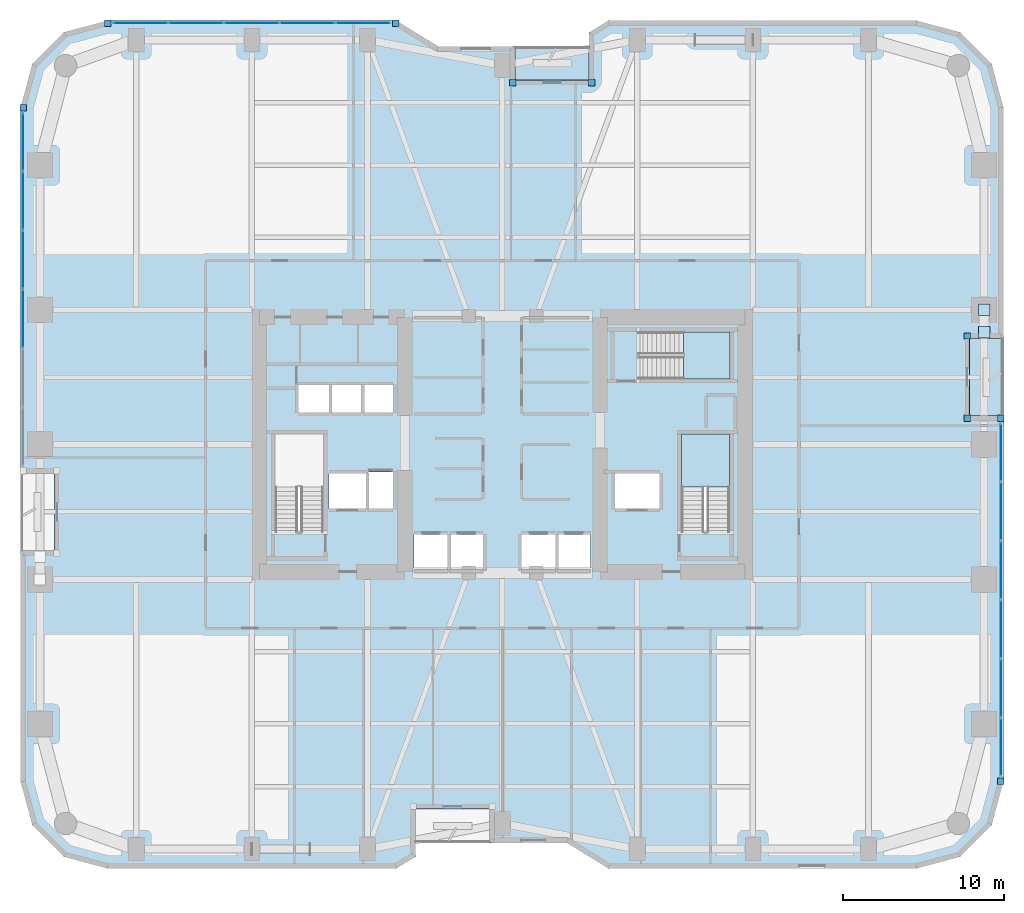
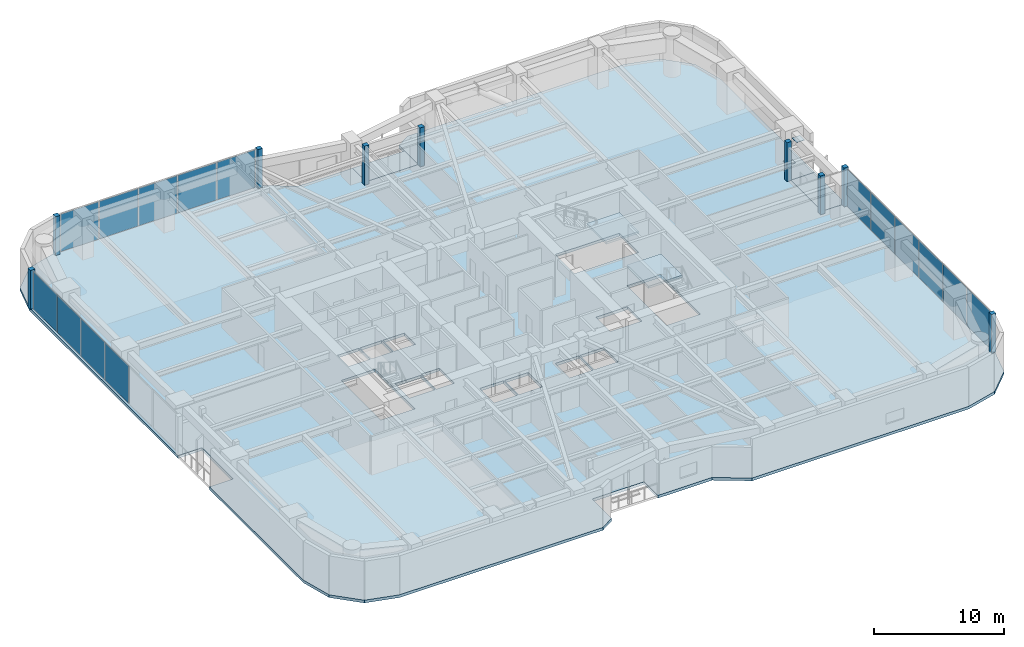
# One storey, part 20 of 28: 26 plates, 5 slabs, 5 elements without a shape of their own.
"""IFC4 building model written with IfcOpenShell, lengths in metres."""

import ifcopenshell
import ifcopenshell.guid

model = None  # the IFC model being written
_history = None  # IfcOwnerHistory: only IFC2X3 demands one
_inside = {}  # id of a spatial element -> (the spatial element, [elements in it])
_under = {}  # id of a project, library or spatial element -> (it, [spatial elements below it])
_declared = {}  # id of a project -> (the project, [libraries it declares])
_typed = {}  # id of a type object -> (the type object, [elements of that type])
_made_of = {}  # id of a material, layer set ... -> (it, [elements and type objects made of it])


def new_model(schema):
    """Start an empty IFC model of exactly this schema.

    Asked for "IFC4X3", IfcOpenShell would pick the latest addendum, in which some entities
    have other attributes; the version numbers below select the first issue.
    IFC2X3 requires an IfcOwnerHistory on every rooted entity: one is made here for all.
    """
    global model, _history
    if schema == "IFC4X3":
        model = ifcopenshell.file(schema_version=(4, 3, 0, 0))
    else:
        model = ifcopenshell.file(schema=schema)
    _inside.clear()
    _under.clear()
    _declared.clear()
    _typed.clear()
    _made_of.clear()
    _history = None
    if model.schema == "IFC2X3":
        org = make("IfcOrganization", Name="unknown")
        user = make(
            "IfcPersonAndOrganization",
            ThePerson=make("IfcPerson", FamilyName="unknown"),
            TheOrganization=org,
        )
        app = make(
            "IfcApplication",
            ApplicationDeveloper=org,
            Version="unknown",
            ApplicationFullName="unknown",
            ApplicationIdentifier="unknown",
        )
        _history = make(
            "IfcOwnerHistory",
            OwningUser=user,
            OwningApplication=app,
            ChangeAction="ADDED",
            CreationDate=0,
        )
    return model


def make(cls, **values):
    """One entity of the class cls with the attributes given. An attribute that is None is left unset."""
    return model.create_entity(
        cls, **{name: value for name, value in values.items() if value is not None}
    )


def rooted(cls, **values):
    """An entity with a GlobalId (a new one), such as an element, a storey or a relation."""
    return make(cls, GlobalId=ifcopenshell.guid.new(), OwnerHistory=_history, **values)


def si_unit(unit_type, name, prefix=None):
    """IfcSIUnit, for example si_unit("LENGTHUNIT", "METRE", prefix="MILLI")."""
    return make("IfcSIUnit", UnitType=unit_type, Prefix=prefix, Name=name)


def assignment(units):
    """IfcUnitAssignment: the units of a project."""
    return None if units is None else make("IfcUnitAssignment", Units=units)


def point(xyz):
    """IfcCartesianPoint."""
    return None if xyz is None else make("IfcCartesianPoint", Coordinates=xyz)


def direction(xyz):
    """IfcDirection."""
    return None if xyz is None else make("IfcDirection", DirectionRatios=xyz)


def frame(location, z_axis=None, x_axis=None):
    """IfcAxis2Placement3D, a coordinate frame: its origin and axes. An axis left out is left unset."""
    return make(
        "IfcAxis2Placement3D",
        Location=point(location),
        Axis=direction(z_axis),
        RefDirection=direction(x_axis),
    )


def frame_2d(location, x_axis=None):
    """IfcAxis2Placement2D, a coordinate frame in the plane: its origin and x axis."""
    return make(
        "IfcAxis2Placement2D", Location=point(location), RefDirection=direction(x_axis)
    )


def origin():
    """The frame at (0, 0, 0) with its axes left unset."""
    return frame((0.0, 0.0, 0.0))


def origin_2d():
    """The frame at (0, 0) in the plane with its x axis left unset."""
    return frame_2d((0.0, 0.0))


def place(relative_to, where):
    """IfcLocalPlacement: puts the frame where relative to a parent placement (None: the world)."""
    return make(
        "IfcLocalPlacement", PlacementRelTo=relative_to, RelativePlacement=where
    )


def context(
    kind, dimensions, precision=None, world=None, true_north=None, identifier=None
):
    """IfcGeometricRepresentationContext, for example the 3D "Model" context."""
    return make(
        "IfcGeometricRepresentationContext",
        ContextIdentifier=identifier,
        ContextType=kind,
        CoordinateSpaceDimension=dimensions,
        Precision=precision,
        WorldCoordinateSystem=world,
        TrueNorth=true_north,
    )


def subcontext(parent, identifier, kind, view, scale=None):
    """IfcGeometricRepresentationSubContext, for example "Body" below "Model"."""
    return make(
        "IfcGeometricRepresentationSubContext",
        ContextIdentifier=identifier,
        ContextType=kind,
        ParentContext=parent,
        TargetScale=scale,
        TargetView=view,
    )


def project(units=None, contexts=None):
    """IfcProject with its units and contexts."""
    return rooted(
        "IfcProject",
        Name="project",
        RepresentationContexts=contexts,
        UnitsInContext=assignment(units),
    )


def spatial(cls, under=None, at=None, **own):
    """A site, building, storey or space (cls), placed at a placement, below another one or the project."""
    s = rooted(cls, ObjectPlacement=at, **own)
    if under is not None:
        _under.setdefault(under.id(), (under, []))[1].append(s)
    return s


def polyline(points):
    """IfcPolyline through the points."""
    return make("IfcPolyline", Points=[point(p) for p in points])


def profile(cls, at=None, kind="AREA", **sizes):
    """A parametric profile (cls). Its sizes go by their IFC names, for example OverallWidth=200.0."""
    return make(cls, ProfileType=kind, Position=at, **sizes)


def rectangle(**sizes):
    """IfcRectangleProfileDef."""
    return profile("IfcRectangleProfileDef", **sizes)


def outline(outer, holes=None, kind="AREA"):
    """IfcArbitraryClosedProfileDef: a profile drawn as a closed curve; with holes, ...WithVoids."""
    if holes is None:
        return make("IfcArbitraryClosedProfileDef", ProfileType=kind, OuterCurve=outer)
    return make(
        "IfcArbitraryProfileDefWithVoids",
        ProfileType=kind,
        OuterCurve=outer,
        InnerCurves=holes,
    )


def extrude(swept, where, along, depth):
    """IfcExtrudedAreaSolid: the profile swept, set in the frame where, extruded along a direction by depth."""
    return make(
        "IfcExtrudedAreaSolid",
        SweptArea=swept,
        Position=where,
        ExtrudedDirection=direction(along),
        Depth=depth,
    )


def shape(context_of_items, identifier, shape_type, items):
    """IfcShapeRepresentation: the items that make up one representation, for example the "Body"."""
    return make(
        "IfcShapeRepresentation",
        ContextOfItems=context_of_items,
        RepresentationIdentifier=identifier,
        RepresentationType=shape_type,
        Items=items,
    )


def material(Name=None, Category=None):
    """IfcMaterial."""
    return make("IfcMaterial", Name=Name, Category=Category)


def layer(
    of_material, thickness, ventilated=None, Name=None, Category=None, Priority=None
):
    """IfcMaterialLayer: one layer of a wall or slab, of a material (None: an air gap)."""
    return make(
        "IfcMaterialLayer",
        Material=of_material,
        LayerThickness=thickness,
        IsVentilated=ventilated,
        Name=Name,
        Category=Category,
        Priority=Priority,
    )


def layer_set(layers, Name=None):
    """IfcMaterialLayerSet."""
    return make("IfcMaterialLayerSet", MaterialLayers=layers, LayerSetName=Name)


def made_of(thing, what):
    """Note that an element or type object is made of a material, layer set ...; save() writes the relation."""
    if what is not None:
        _made_of.setdefault(what.id(), (what, []))[1].append(thing)
    return thing


def type_object(cls, material=None, **own):
    """A type object (cls), such as IfcWallType, which elements share."""
    return made_of(rooted(cls, **own), material)


def element(
    cls,
    number,
    at=None,
    inside=None,
    cuts=None,
    type_object=None,
    material=None,
    context=None,
    identifier="Body",
    shape_type=None,
    held_by="IfcProductDefinitionShape",
    body=None,
    shapes=None,
    **own,
):
    """One element of the class cls, such as IfcWall. Its Tag is "e" and its number.

    at: its placement. inside: the storey or other place that contains it. cuts: it is an
    opening in that element (IfcRelVoidsElement). A single representation is given by context,
    identifier, shape_type and body (its items); several are given by shapes. held_by: the class
    of the entity that holds the representations. save() writes the other relations.
    """
    e = rooted(cls, Tag="e%d" % number, ObjectPlacement=at, **own)
    if body is not None:
        shapes = [shape(context, identifier, shape_type, body)]
    if shapes is not None:
        e.Representation = make(held_by, Representations=shapes)
    if inside is not None:
        _inside.setdefault(inside.id(), (inside, []))[1].append(e)
    if cuts is not None:
        rooted(
            "IfcRelVoidsElement", RelatingBuildingElement=cuts, RelatedOpeningElement=e
        )
    if type_object is not None:
        _typed.setdefault(type_object.id(), (type_object, []))[1].append(e)
    return made_of(e, material)


def aggregate(whole, parts):
    """IfcRelAggregates: a whole, such as a stair, and the parts it consists of."""
    return rooted("IfcRelAggregates", RelatingObject=whole, RelatedObjects=parts)


def save(model, path):
    """Write the relations noted so far, then the file.

    IfcRelAggregates (storeys below a building ...), IfcRelContainedInSpatialStructure (elements
    in a storey), IfcRelDefinesByType, IfcRelAssociatesMaterial and IfcRelDeclares: one each for
    every whole, place, type object, material and project.
    """
    for whole, parts in _under.values():
        aggregate(whole, parts)
    for where, things in _inside.values():
        rooted(
            "IfcRelContainedInSpatialStructure",
            RelatedElements=things,
            RelatingStructure=where,
        )
    for kind, things in _typed.values():
        rooted("IfcRelDefinesByType", RelatedObjects=things, RelatingType=kind)
    for what, things in _made_of.values():
        rooted("IfcRelAssociatesMaterial", RelatedObjects=things, RelatingMaterial=what)
    for by, libraries in _declared.values():
        rooted("IfcRelDeclares", RelatingContext=by, RelatedDefinitions=libraries)
    model.write(path)


model = new_model("IFC4")

# Units and contexts
model_context = context("Model", 3, precision=1e-05, world=origin(), true_north=direction((0.0, 1.0)))
body_context = subcontext(model_context, "Body", "Model", "MODEL_VIEW")
ifc_project = project(units=[si_unit("LENGTHUNIT", "METRE"), si_unit("AREAUNIT", "SQUARE_METRE"), si_unit("VOLUMEUNIT", "CUBIC_METRE"), si_unit("PLANEANGLEUNIT", "RADIAN"), si_unit("MASSUNIT", "GRAM", prefix="KILO")], contexts=[model_context])

# Site, building, storey
site_placement = place(None, origin())
site = spatial("IfcSite", under=ifc_project, at=site_placement, CompositionType="ELEMENT")
building_placement = place(site_placement, origin())
building = spatial("IfcBuilding", under=site, at=building_placement, Name="Kiyonajd Concourse Tower", CompositionType="ELEMENT")
storey_placement = place(building_placement, frame((0.0, 0.0, 56.699951171875)))
storey = spatial("IfcBuildingStorey", under=building, at=storey_placement, Name="L15", CompositionType="ELEMENT", Elevation=56.699951171875)

# Plates
ifc_material_1 = material(Name="Steel ASTM A572 Grade 50", Category="steel")
ifc_layer_1 = layer(ifc_material_1, 0.028076171875)
ifc_layer_set_1 = layer_set([ifc_layer_1], Name="Steel ASTM A572 Grade 50")
plate_type_1 = type_object("IfcPlateType", Name="PL-CAP-450", PredefinedType="USERDEFINED", material=ifc_layer_set_1)
for number, where, z_axis, x_axis, name in (
    (1, (78.0, 44.40478515625, 0.27587890625), (0.0, 0.0, 1.0), (1.0, 0.0, 0.0), "L15 Hollow Brace End Cap Plate PBE"),
    (2, (78.0, 42.995361328125, 3.2861328125), (0.0, 0.0, 1.0), (1.0, 0.0, 0.0), "L15 Hollow Brace Top Cap Plate PBE"),
):
    element("IfcPlate", number, at=place(storey_placement, frame(where, z_axis=z_axis, x_axis=x_axis)), inside=storey, type_object=plate_type_1, Name=name, ObjectType="CAP PLATE", PredefinedType="USERDEFINED", context=body_context, shape_type="SweptSolid", body=[
        extrude(rectangle(XDim=0.7099609375, YDim=0.7099609375, at=origin_2d()), origin(), (0.0, 0.0, 1.0), 0.028076171875),
    ])

# Curtain wall, plates
ifc_material_2 = material(Name="Thermally Broken Anodised Aluminium", Category="aluminium")
ifc_layer_2 = layer(ifc_material_2, 0.179931640625)
ifc_layer_set_2 = layer_set([ifc_layer_2], Name="Thermally Broken Anodised Aluminium")
curtain_wall_type = type_object("IfcCurtainWallType", Name="CW-SYS-02", PredefinedType="NOTDEFINED", material=ifc_layer_set_2)
curtain_wall_1_placement = place(storey_placement, origin())
curtain_wall_1 = element("IfcCurtainWall", 3, at=curtain_wall_1_placement, inside=storey, type_object=curtain_wall_type, Name="L15 Unitised Curtain Wall CW2", PredefinedType="NOTDEFINED")
ifc_material_3 = material(Name="Double Low-E Insulated Glass", Category="glass")
ifc_layer_3 = layer(ifc_material_3, 0.028076171875)
ifc_layer_set_3 = layer_set([ifc_layer_3], Name="Double Low-E Insulated Glass")
plate_type_2 = type_object("IfcPlateType", Name="PL-CW-VIS28", PredefinedType="CURTAIN_PANEL", material=ifc_layer_set_3)
plate_1_placement = place(storey_placement, frame((18.159912109375, 43.832763671875, 0.06494140625), z_axis=(0.0, 0.0, 1.0), x_axis=(0.0, 1.0, 0.0)))
plate_1 = element("IfcPlate", 4, at=plate_1_placement, type_object=plate_type_2, Name="CW2 panel 3.1", PredefinedType="CURTAIN_PANEL", context=body_context, shape_type="SweptSolid", body=[
    extrude(rectangle(XDim=3.608154296875, YDim=0.028076171875, at=origin_2d()), origin(), (0.0, 0.0, 1.0), 3.510009765625),
])
plate_2_placement = place(storey_placement, frame((18.159912109375, 47.506103515625, 0.06494140625), z_axis=(0.0, 0.0, 1.0), x_axis=(0.0, 1.0, 0.0)))
plate_2 = element("IfcPlate", 5, at=plate_2_placement, type_object=plate_type_2, Name="CW2 panel 4.1", PredefinedType="CURTAIN_PANEL", context=body_context, shape_type="SweptSolid", body=[
    extrude(rectangle(XDim=3.608154296875, YDim=0.028076171875, at=origin_2d()), origin(), (0.0, 0.0, 1.0), 3.510009765625),
])
plate_3_placement = place(storey_placement, frame((18.159912109375, 51.17919921875, 0.06494140625), z_axis=(0.0, 0.0, 1.0), x_axis=(0.0, 1.0, 0.0)))
plate_3 = element("IfcPlate", 6, at=plate_3_placement, type_object=plate_type_2, Name="CW2 panel 5.1", PredefinedType="CURTAIN_PANEL", context=body_context, shape_type="SweptSolid", body=[
    extrude(rectangle(XDim=3.608154296875, YDim=0.028076171875, at=origin_2d()), origin(), (0.0, 0.0, 1.0), 3.510009765625),
])
plate_4_placement = place(storey_placement, frame((18.159912109375, 54.836181640625, 0.06494140625), z_axis=(0.0, 0.0, 1.0), x_axis=(0.0, 1.0, 0.0)))
plate_4 = element("IfcPlate", 7, at=plate_4_placement, type_object=plate_type_2, Name="CW2 panel 6.1", PredefinedType="CURTAIN_PANEL", context=body_context, shape_type="SweptSolid", body=[
    extrude(rectangle(XDim=3.57568359375, YDim=0.028076171875, at=origin_2d()), origin(), (0.0, 0.0, 1.0), 3.510009765625),
])
aggregate(curtain_wall_1, [plate_1, plate_2, plate_3, plate_4])

curtain_wall_2_placement = place(storey_placement, origin())
curtain_wall_2 = element("IfcCurtainWall", 8, at=curtain_wall_2_placement, inside=storey, type_object=curtain_wall_type, Name="L15 Unitised Curtain Wall CW2", PredefinedType="NOTDEFINED")
plate_5_placement = place(storey_placement, frame((25.462646484375, 62.239990234375, 0.06494140625), z_axis=(0.0, 0.0, 1.0), x_axis=(1.0, 0.0, 0.0)))
plate_5 = element("IfcPlate", 9, at=plate_5_placement, type_object=plate_type_2, Name="CW2 panel 1.1", PredefinedType="CURTAIN_PANEL", context=body_context, shape_type="SweptSolid", body=[
    extrude(rectangle(XDim=3.373291015625, YDim=0.028076171875, at=origin_2d()), origin(), (0.0, 0.0, 1.0), 3.510009765625),
])
plate_6_placement = place(storey_placement, frame((28.917236328125, 62.239990234375, 0.06494140625), z_axis=(0.0, 0.0, 1.0), x_axis=(1.0, 0.0, 0.0)))
plate_6 = element("IfcPlate", 10, at=plate_6_placement, type_object=plate_type_2, Name="CW2 panel 2.1", PredefinedType="CURTAIN_PANEL", context=body_context, shape_type="SweptSolid", body=[
    extrude(rectangle(XDim=3.40576171875, YDim=0.028076171875, at=origin_2d()), origin(), (0.0, 0.0, 1.0), 3.510009765625),
])
plate_7_placement = place(storey_placement, frame((32.387939453125, 62.239990234375, 0.06494140625), z_axis=(0.0, 0.0, 1.0), x_axis=(1.0, 0.0, 0.0)))
plate_7 = element("IfcPlate", 11, at=plate_7_placement, type_object=plate_type_2, Name="CW2 panel 3.1", PredefinedType="CURTAIN_PANEL", context=body_context, shape_type="SweptSolid", body=[
    extrude(rectangle(XDim=3.40576171875, YDim=0.028076171875, at=origin_2d()), origin(), (0.0, 0.0, 1.0), 3.510009765625),
])
plate_8_placement = place(storey_placement, frame((35.858642578125, 62.239990234375, 0.06494140625), z_axis=(0.0, 0.0, 1.0), x_axis=(1.0, 0.0, 0.0)))
plate_8 = element("IfcPlate", 12, at=plate_8_placement, type_object=plate_type_2, Name="CW2 panel 4.1", PredefinedType="CURTAIN_PANEL", context=body_context, shape_type="SweptSolid", body=[
    extrude(rectangle(XDim=3.40576171875, YDim=0.028076171875, at=origin_2d()), origin(), (0.0, 0.0, 1.0), 3.510009765625),
])
plate_9_placement = place(storey_placement, frame((39.31298828125, 62.239990234375, 0.06494140625), z_axis=(0.0, 0.0, 1.0), x_axis=(1.0, 0.0, 0.0)))
plate_9 = element("IfcPlate", 13, at=plate_9_placement, type_object=plate_type_2, Name="CW2 panel 5.1", PredefinedType="CURTAIN_PANEL", context=body_context, shape_type="SweptSolid", body=[
    extrude(rectangle(XDim=3.373291015625, YDim=0.028076171875, at=origin_2d()), origin(), (0.0, 0.0, 1.0), 3.510009765625),
])
aggregate(curtain_wall_2, [plate_5, plate_6, plate_7, plate_8, plate_9])

curtain_wall_3_placement = place(storey_placement, origin())
curtain_wall_3 = element("IfcCurtainWall", 14, at=curtain_wall_3_placement, inside=storey, type_object=curtain_wall_type, Name="L15 Unitised Curtain Wall CW2", PredefinedType="NOTDEFINED")
plate_10_placement = place(storey_placement, frame((79.0400390625, 35.4970703125, 0.06494140625), z_axis=(0.0, 0.0, 1.0), x_axis=(0.0, -1.0, 0.0)))
plate_10 = element("IfcPlate", 15, at=plate_10_placement, type_object=plate_type_2, Name="CW2 panel 1.1", PredefinedType="CURTAIN_PANEL", context=body_context, shape_type="SweptSolid", body=[
    extrude(rectangle(XDim=3.57568359375, YDim=0.028076171875, at=origin_2d()), origin(), (0.0, 0.0, 1.0), 3.510009765625),
])
plate_11_placement = place(storey_placement, frame((79.0400390625, 31.84033203125, 0.06494140625), z_axis=(0.0, 0.0, 1.0), x_axis=(0.0, -1.0, 0.0)))
plate_11 = element("IfcPlate", 16, at=plate_11_placement, type_object=plate_type_2, Name="CW2 panel 2.1", PredefinedType="CURTAIN_PANEL", context=body_context, shape_type="SweptSolid", body=[
    extrude(rectangle(XDim=3.608154296875, YDim=0.028076171875, at=origin_2d()), origin(), (0.0, 0.0, 1.0), 3.510009765625),
])
plate_12_placement = place(storey_placement, frame((79.0400390625, 28.167236328125, 0.06494140625), z_axis=(0.0, 0.0, 1.0), x_axis=(0.0, -1.0, 0.0)))
plate_12 = element("IfcPlate", 17, at=plate_12_placement, type_object=plate_type_2, Name="CW2 panel 3.1", PredefinedType="CURTAIN_PANEL", context=body_context, shape_type="SweptSolid", body=[
    extrude(rectangle(XDim=3.608154296875, YDim=0.028076171875, at=origin_2d()), origin(), (0.0, 0.0, 1.0), 3.510009765625),
])
plate_13_placement = place(storey_placement, frame((79.0400390625, 24.493896484375, 0.06494140625), z_axis=(0.0, 0.0, 1.0), x_axis=(0.0, -1.0, 0.0)))
plate_13 = element("IfcPlate", 18, at=plate_13_placement, type_object=plate_type_2, Name="CW2 panel 4.1", PredefinedType="CURTAIN_PANEL", context=body_context, shape_type="SweptSolid", body=[
    extrude(rectangle(XDim=3.608154296875, YDim=0.028076171875, at=origin_2d()), origin(), (0.0, 0.0, 1.0), 3.510009765625),
])
plate_14_placement = place(storey_placement, frame((79.0400390625, 20.82080078125, 0.06494140625), z_axis=(0.0, 0.0, 1.0), x_axis=(0.0, -1.0, 0.0)))
plate_14 = element("IfcPlate", 19, at=plate_14_placement, type_object=plate_type_2, Name="CW2 panel 5.1", PredefinedType="CURTAIN_PANEL", context=body_context, shape_type="SweptSolid", body=[
    extrude(rectangle(XDim=3.608154296875, YDim=0.028076171875, at=origin_2d()), origin(), (0.0, 0.0, 1.0), 3.510009765625),
])
plate_15_placement = place(storey_placement, frame((79.0400390625, 17.163818359375, 0.06494140625), z_axis=(0.0, 0.0, 1.0), x_axis=(0.0, -1.0, 0.0)))
plate_15 = element("IfcPlate", 20, at=plate_15_placement, type_object=plate_type_2, Name="CW2 panel 6.1", PredefinedType="CURTAIN_PANEL", context=body_context, shape_type="SweptSolid", body=[
    extrude(rectangle(XDim=3.57568359375, YDim=0.028076171875, at=origin_2d()), origin(), (0.0, 0.0, 1.0), 3.510009765625),
])
aggregate(curtain_wall_3, [plate_10, plate_11, plate_12, plate_13, plate_14, plate_15])

# Plates
ifc_layer_4 = layer(ifc_material_2, 0.39990234375)
ifc_layer_set_4 = layer_set([ifc_layer_4], Name="Thermally Broken Anodised Aluminium")
plate_type_3 = type_object("IfcPlateType", Name="PL-JMB-400", PredefinedType="USERDEFINED", material=ifc_layer_set_4)
for number, where, z_axis, x_axis, name in (
    (21, (18.159912109375, 56.97900390625, 0.0), (0.0, 0.0, 1.0), (1.0, 0.0, 0.0), "L15 Facade Jamb Closure Plate 04"),
    (22, (23.421142578125, 62.239990234375, 0.0), (0.0, 0.0, 1.0), (1.0, 0.0, 0.0), "L15 Facade Jamb Closure Plate 05"),
    (23, (41.354736328125, 62.239990234375, 0.0), (0.0, 0.0, 1.0), (1.0, 0.0, 0.0), "L15 Facade Jamb Closure Plate 06"),
    (24, (48.639892578125, 58.5400390625, 0.0), (0.0, 0.0, 1.0), (1.0, 0.0, 0.0), "L15 Facade Jamb Closure Plate 07"),
    (25, (53.56005859375, 58.5400390625, 0.0), (0.0, 0.0, 1.0), (1.0, 0.0, 0.0), "L15 Facade Jamb Closure Plate 08"),
    (26, (76.93994140625, 42.760009765625, 0.0), (0.0, 0.0, 1.0), (1.0, 0.0, 0.0), "L15 Facade Jamb Closure Plate 09"),
    (27, (76.93994140625, 37.639892578125, 0.0), (0.0, 0.0, 1.0), (1.0, 0.0, 0.0), "L15 Facade Jamb Closure Plate 10"),
    (28, (79.0400390625, 37.639892578125, 0.0), (0.0, 0.0, 1.0), (1.0, 0.0, 0.0), "L15 Facade Jamb Closure Plate 11"),
    (29, (79.0400390625, 15.02099609375, 0.0), (0.0, 0.0, 1.0), (1.0, 0.0, 0.0), "L15 Facade Jamb Closure Plate 12"),
):
    element("IfcPlate", number, at=place(storey_placement, frame(where, z_axis=z_axis, x_axis=x_axis)), inside=storey, type_object=plate_type_3, Name=name, ObjectType="JAMB PLATE", PredefinedType="USERDEFINED", context=body_context, shape_type="SweptSolid", body=[
        extrude(rectangle(XDim=0.39990234375, YDim=0.39990234375, at=origin_2d()), origin(), (0.0, 0.0, 1.0), 3.639892578125),
    ])

# Stair, slab
ifc_material_4 = material(Name="Concrete C40/50", Category="concrete")
stair_type = type_object("IfcStairType", Name="ST-DLG-22R", PredefinedType="HALF_TURN_STAIR", material=ifc_material_4)
stair_1_placement = place(storey_placement, origin())
stair_1 = element("IfcStair", 30, at=stair_1_placement, inside=storey, type_object=stair_type, Name="L15 Protected Exit Stair ST2", PredefinedType="HALF_TURN_STAIR")
ifc_layer_5 = layer(ifc_material_4, 0.199951171875)
ifc_layer_set_5 = layer_set([ifc_layer_5], Name="Concrete C40/50")
slab_type_1 = type_object("IfcSlabType", Name="SL-LND-200", PredefinedType="LANDING", material=ifc_layer_set_5)
slab_1_placement = place(storey_placement, frame((0.0, 0.0, 1.75)))
slab_1 = element("IfcSlab", 31, at=slab_1_placement, type_object=slab_type_1, Name="ST2 landing 1", PredefinedType="LANDING", context=body_context, shape_type="SweptSolid", body=[
    extrude(outline(polyline([(62.14990234375, 33.35009765625), (62.14990234375, 36.64990234375), (59.14990234375, 36.64990234375), (59.14990234375, 33.35009765625), (62.14990234375, 33.35009765625)])), origin(), (0.0, 0.0, 1.0), 0.199951171875),
])
aggregate(stair_1, [slab_1])

stair_2_placement = place(storey_placement, origin())
stair_2 = element("IfcStair", 32, at=stair_2_placement, inside=storey, type_object=stair_type, Name="L15 Protected Exit Stair ST3", PredefinedType="HALF_TURN_STAIR")
slab_2_placement = place(storey_placement, frame((0.0, 0.0, 1.75)))
slab_2 = element("IfcSlab", 33, at=slab_2_placement, type_object=slab_type_1, Name="ST3 landing 1", PredefinedType="LANDING", context=body_context, shape_type="SweptSolid", body=[
    extrude(outline(polyline([(59.280029296875, 40.080078125), (62.179931640625, 40.080078125), (62.179931640625, 43.02001953125), (59.280029296875, 43.02001953125), (59.280029296875, 40.080078125)])), origin(), (0.0, 0.0, 1.0), 0.199951171875),
])
aggregate(stair_2, [slab_2])

# Slabs
ifc_material_5 = material(Name="Precast concrete C50/60", Category="concrete")
ifc_layer_6 = layer(ifc_material_5, 0.199951171875)
ifc_layer_set_6 = layer_set([ifc_layer_6], Name="Precast concrete C50/60")
slab_type_2 = type_object("IfcSlabType", Name="SL-LOG-200", PredefinedType="FLOOR", material=ifc_layer_set_6)
slab_3_placement = place(storey_placement, frame((0.0, 0.0, -0.199951171875)))
element("IfcSlab", 34, at=slab_3_placement, inside=storey, type_object=slab_type_2, Name="L15 Recessed Engawa Loggia Terrace Slab LOG-N", PredefinedType="FLOOR", context=body_context, shape_type="SweptSolid", body=[
    extrude(outline(polyline([(48.800048828125, 58.699951171875), (53.39990234375, 58.699951171875), (53.39990234375, 60.800048828125), (48.800048828125, 60.800048828125), (48.800048828125, 58.699951171875)])), origin(), (0.0, 0.0, 1.0), 0.199951171875),
])
slab_4_placement = place(storey_placement, frame((0.0, 0.0, -0.199951171875)))
element("IfcSlab", 35, at=slab_4_placement, inside=storey, type_object=slab_type_2, Name="L15 Recessed Engawa Loggia Terrace Slab LOG-E", PredefinedType="FLOOR", context=body_context, shape_type="SweptSolid", body=[
    extrude(outline(polyline([(77.10009765625, 37.800048828125), (79.199951171875, 37.800048828125), (79.199951171875, 42.60009765625), (77.10009765625, 42.60009765625), (77.10009765625, 37.800048828125)])), origin(), (0.0, 0.0, 1.0), 0.199951171875),
])
ifc_layer_7 = layer(ifc_material_4, 0.260009765625)
ifc_layer_set_7 = layer_set([ifc_layer_7], Name="Concrete C40/50")
slab_type_3 = type_object("IfcSlabType", Name="SL-TWR-260", PredefinedType="FLOOR", material=ifc_layer_set_7)
slab_5_placement = place(storey_placement, frame((0.0, 0.0, -0.260009765625)))
element("IfcSlab", 36, at=slab_5_placement, inside=storey, type_object=slab_type_3, Name="L15 Tower Conditioned Floor Slab", PredefinedType="FLOOR", context=body_context, shape_type="SweptSolid", body=[
    extrude(outline(polyline([(18.722900390625, 12.300048828125), (18.0, 15.0), (18.0, 29.39990234375), (20.10009765625, 29.39990234375), (20.10009765625, 34.199951171875), (18.0, 34.199951171875), (18.0, 57.0), (18.722900390625, 59.699951171875), (20.699951171875, 61.677001953125), (23.39990234375, 62.39990234375), (41.39990234375, 62.39990234375), (44.0, 60.800048828125), (48.800048828125, 60.800048828125), (48.800048828125, 58.699951171875), (53.39990234375, 58.699951171875), (53.39990234375, 61.662109375), (54.60009765625, 62.39990234375), (73.800048828125, 62.39990234375), (76.5, 61.677001953125), (78.47705078125, 59.699951171875), (79.199951171875, 57.0), (79.199951171875, 42.60009765625), (77.10009765625, 42.60009765625), (77.10009765625, 37.800048828125), (79.199951171875, 37.800048828125), (79.199951171875, 15.0), (78.47705078125, 12.300048828125), (76.5, 10.322998046875), (73.800048828125, 9.60009765625), (54.60009765625, 9.60009765625), (52.0, 11.199951171875), (47.199951171875, 11.199951171875), (47.199951171875, 13.300048828125), (42.60009765625, 13.300048828125), (42.60009765625, 10.337890625), (41.39990234375, 9.60009765625), (23.39990234375, 9.60009765625), (20.699951171875, 10.322998046875), (18.722900390625, 12.300048828125)]), holes=[polyline([(44.60009765625, 28.199951171875), (42.5, 28.199951171875), (42.5, 30.39990234375), (44.60009765625, 30.39990234375), (44.60009765625, 28.199951171875)]), polyline([(37.199951171875, 32.0), (37.199951171875, 34.199951171875), (39.5, 34.199951171875), (39.5, 32.0), (37.199951171875, 32.0)]), polyline([(39.60009765625, 32.0), (39.60009765625, 34.300048828125), (41.199951171875, 34.300048828125), (41.199951171875, 32.0), (39.60009765625, 32.0)]), polyline([(36.85009765625, 30.550048828125), (33.85009765625, 30.550048828125), (33.85009765625, 36.64990234375), (36.85009765625, 36.64990234375), (36.85009765625, 30.550048828125)]), polyline([(35.300048828125, 38.0), (35.300048828125, 39.699951171875), (37.199951171875, 39.699951171875), (37.199951171875, 38.0), (35.300048828125, 38.0)]), polyline([(37.300048828125, 38.0), (37.300048828125, 39.699951171875), (39.199951171875, 39.699951171875), (39.199951171875, 38.0), (37.300048828125, 38.0)]), polyline([(41.199951171875, 38.0), (39.300048828125, 38.0), (39.300048828125, 39.699951171875), (41.199951171875, 39.699951171875), (41.199951171875, 38.0)]), polyline([(44.699951171875, 28.199951171875), (44.699951171875, 30.39990234375), (46.800048828125, 30.39990234375), (46.800048828125, 28.199951171875), (44.699951171875, 28.199951171875)]), polyline([(49.199951171875, 28.199951171875), (49.199951171875, 30.39990234375), (51.300048828125, 30.39990234375), (51.300048828125, 28.199951171875), (49.199951171875, 28.199951171875)]), polyline([(51.39990234375, 28.199951171875), (51.39990234375, 30.39990234375), (53.5, 30.39990234375), (53.5, 28.199951171875), (51.39990234375, 28.199951171875)]), polyline([(55.0, 32.0), (55.0, 34.199951171875), (57.800048828125, 34.199951171875), (57.800048828125, 32.0), (55.0, 32.0)]), polyline([(59.14990234375, 30.550048828125), (59.14990234375, 36.64990234375), (62.14990234375, 36.64990234375), (62.14990234375, 30.550048828125), (59.14990234375, 30.550048828125)]), polyline([(56.47998046875, 43.02001953125), (62.179931640625, 43.02001953125), (62.179931640625, 40.080078125), (56.47998046875, 40.080078125), (56.47998046875, 43.02001953125)])]), origin(), (0.0, 0.0, 1.0), 0.260009765625),
])

save(model, "model.ifc")
